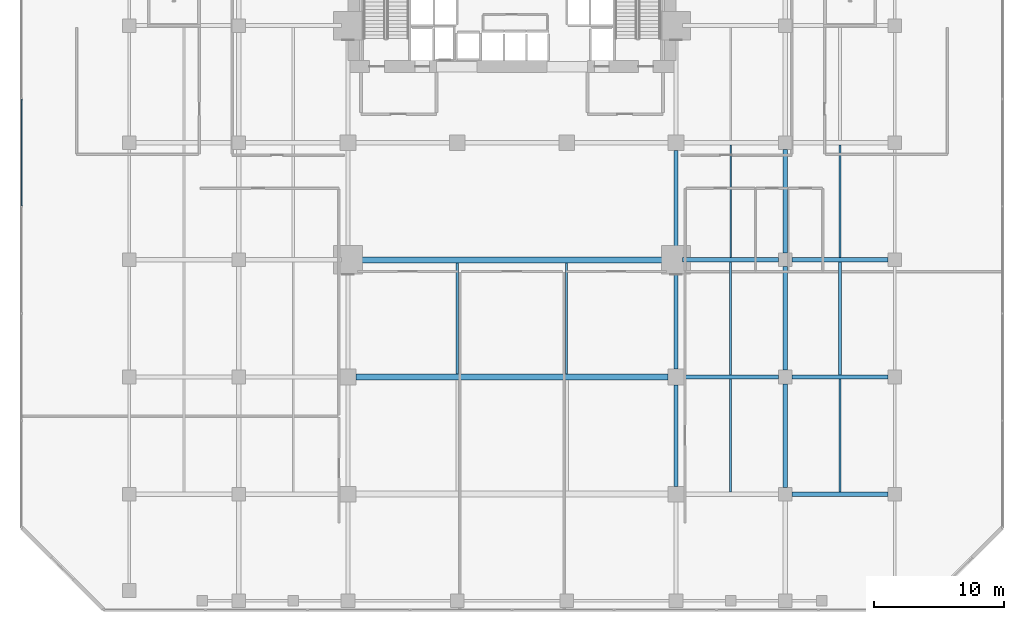
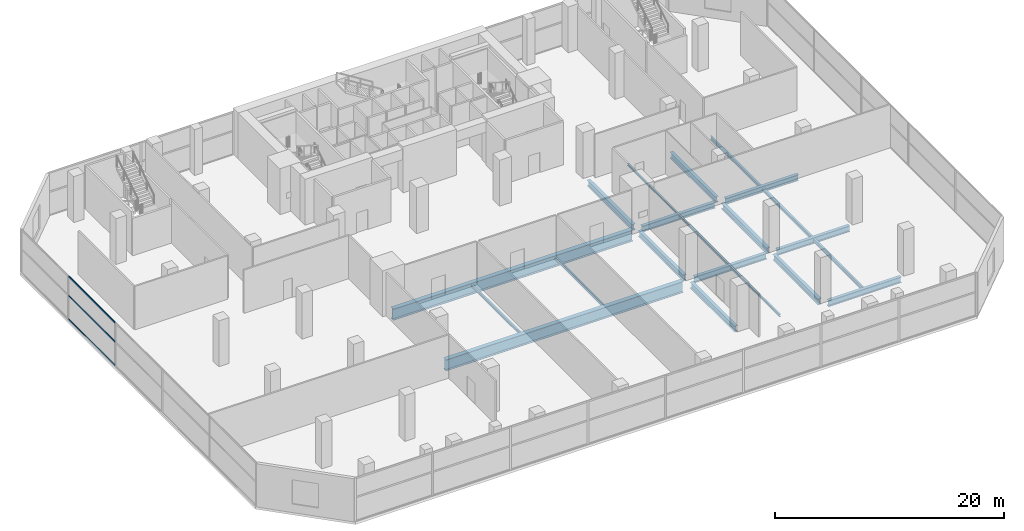
# One storey, part 16 of 39: 21 beams, 3 members, 1 element without a shape of its own.
"""IFC4 building model written with IfcOpenShell, lengths in metres."""

from ifc_helpers import new_model, si_unit, direction, frame, origin, origin_2d, place, context, subcontext, project, spatial, hollow_rectangle, i_section, extrude, material, layer, layer_set, material_profile, profile_set, type_object, element, aggregate, save


model = new_model("IFC4")

# Units and contexts
model_context = context("Model", 3, precision=1e-05, world=origin(), true_north=direction((0.0, 1.0)))
body_context = subcontext(model_context, "Body", "Model", "MODEL_VIEW")
ifc_project = project(units=[si_unit("LENGTHUNIT", "METRE"), si_unit("AREAUNIT", "SQUARE_METRE"), si_unit("VOLUMEUNIT", "CUBIC_METRE"), si_unit("PLANEANGLEUNIT", "RADIAN"), si_unit("MASSUNIT", "GRAM", prefix="KILO")], contexts=[model_context])

# Site, building, storey
site_placement = place(None, origin())
site = spatial("IfcSite", under=ifc_project, at=site_placement, CompositionType="ELEMENT")
building_placement = place(site_placement, origin())
building = spatial("IfcBuilding", under=site, at=building_placement, Name="Maruvema Waterfront Hotel and Observation Tower", CompositionType="ELEMENT")
storey_placement = place(building_placement, frame((0.0, 0.0, 16.449951171875)))
storey = spatial("IfcBuildingStorey", under=building, at=storey_placement, Name="L03", CompositionType="ELEMENT", Elevation=16.449951171875)

# Curtain wall, members
ifc_material_1 = material(Name="Anodised bronze aluminium and solar-control low-E IGU", Category="aluminium")
ifc_layer = layer(ifc_material_1, 0.159912109375, Name="Podium Waterfront Storefront Curtain Wall System CW-01")
ifc_layer_set = layer_set([ifc_layer], Name="Anodised bronze aluminium and solar-control low-E IGU")
curtain_wall_type = type_object("IfcCurtainWallType", Name="Podium Waterfront Storefront Curtain Wall System CW-01", PredefinedType="USERDEFINED", material=ifc_layer_set)
curtain_wall_placement = place(storey_placement, origin())
curtain_wall = element("IfcCurtainWall", 1, at=curtain_wall_placement, inside=storey, type_object=curtain_wall_type, Name="L03 Curtain Wall CW-L03-W", ObjectType="UNITISED CURTAIN WALL", PredefinedType="USERDEFINED")
ifc_material_2 = material(Name="Anodised architectural bronze aluminium", Category="aluminium")
ifc_material_profile_1 = material_profile(ifc_material_2, hollow_rectangle(XDim=0.070068359375, YDim=0.14990234375, WallThickness=0.00390625, at=origin_2d()), Name="ALU-T70x150")
ifc_profile_set_1 = profile_set([ifc_material_profile_1], Name="Anodised architectural bronze aluminium")
member_type = type_object("IfcMemberType", Name="Curtain Wall Horizontal Transom ALU-T70x150", PredefinedType="USERDEFINED", material=ifc_profile_set_1)
member_1_placement = place(storey_placement, frame((0.1201171875, 39.330078125, 0.030029296875), z_axis=(0.0, -1.0, 0.0), x_axis=(1.0, 0.0, 0.0)))
member_1 = element("IfcMember", 2, at=member_1_placement, type_object=member_type, Name="CW-01 transom 2.1", ObjectType="TRANSOM", PredefinedType="USERDEFINED", context=body_context, shape_type="SweptSolid", body=[
    extrude(hollow_rectangle(XDim=0.070068359375, YDim=0.14990234375, WallThickness=0.00390625, at=origin_2d()), origin(), (0.0, 0.0, 1.0), 8.18017578125),
])
member_2_placement = place(storey_placement, frame((0.1201171875, 39.330078125, 2.550048828125), z_axis=(0.0, -1.0, 0.0), x_axis=(1.0, 0.0, 0.0)))
member_2 = element("IfcMember", 3, at=member_2_placement, type_object=member_type, Name="CW-01 transom 2.2", ObjectType="TRANSOM", PredefinedType="USERDEFINED", context=body_context, shape_type="SweptSolid", body=[
    extrude(hollow_rectangle(XDim=0.070068359375, YDim=0.14990234375, WallThickness=0.00390625, at=origin_2d()), origin(), (0.0, 0.0, 1.0), 8.18017578125),
])
member_3_placement = place(storey_placement, frame((0.1201171875, 39.330078125, 4.590087890625), z_axis=(0.0, -1.0, 0.0), x_axis=(1.0, 0.0, 0.0)))
member_3 = element("IfcMember", 4, at=member_3_placement, type_object=member_type, Name="CW-01 transom 2.3", ObjectType="TRANSOM", PredefinedType="USERDEFINED", context=body_context, shape_type="SweptSolid", body=[
    extrude(hollow_rectangle(XDim=0.070068359375, YDim=0.14990234375, WallThickness=0.00390625, at=origin_2d()), origin(), (0.0, 0.0, 1.0), 8.18017578125),
])
aggregate(curtain_wall, [member_1, member_2, member_3])

# Beams
ifc_material_3 = material(Name="Steel ASTM A572 Grade 50", Category="steel")
ifc_material_profile_2 = material_profile(ifc_material_3, i_section(OverallWidth=0.3291015625, OverallDepth=0.635009765625, WebThickness=0.017822265625, FlangeThickness=0.031005859375, FilletRadius=0.01806640625, at=origin_2d()), Name="W610x241.0")
ifc_profile_set_2 = profile_set([ifc_material_profile_2], Name="Steel ASTM A572 Grade 50")
beam_type_1 = type_object("IfcBeamType", Name="Primary Floor Girder W610x241.0", PredefinedType="BEAM", material=ifc_profile_set_2)
beam_1_placement = place(storey_placement, frame((59.324951171875, 9.0, -0.597412109375), z_axis=(1.0, 0.0, 0.0), x_axis=(0.0, 1.0, 0.0)))
element("IfcBeam", 5, at=beam_1_placement, inside=storey, type_object=beam_type_1, Name="L03 Floor Girder EW-14", PredefinedType="BEAM", context=body_context, shape_type="SweptSolid", body=[
    extrude(i_section(OverallWidth=0.3291015625, OverallDepth=0.635009765625, WebThickness=0.017822265625, FlangeThickness=0.031005859375, FilletRadius=0.01806640625, at=origin_2d()), origin(), (0.0, 0.0, 1.0), 7.35009765625),
])
beam_2_placement = place(storey_placement, frame((51.0, 18.0, -0.597412109375), z_axis=(1.0, 0.0, 0.0), x_axis=(0.0, 1.0, 0.0)))
element("IfcBeam", 6, at=beam_2_placement, inside=storey, type_object=beam_type_1, Name="L03 Floor Girder EW-18", PredefinedType="BEAM", context=body_context, shape_type="SweptSolid", body=[
    extrude(i_section(OverallWidth=0.3291015625, OverallDepth=0.635009765625, WebThickness=0.017822265625, FlangeThickness=0.031005859375, FilletRadius=0.01806640625, at=origin_2d()), origin(), (0.0, 0.0, 1.0), 7.27490234375),
])
beam_3_placement = place(storey_placement, frame((59.324951171875, 18.0, -0.597412109375), z_axis=(1.0, 0.0, 0.0), x_axis=(0.0, 1.0, 0.0)))
element("IfcBeam", 7, at=beam_3_placement, inside=storey, type_object=beam_type_1, Name="L03 Floor Girder EW-19", PredefinedType="BEAM", context=body_context, shape_type="SweptSolid", body=[
    extrude(i_section(OverallWidth=0.3291015625, OverallDepth=0.635009765625, WebThickness=0.017822265625, FlangeThickness=0.031005859375, FilletRadius=0.01806640625, at=origin_2d()), origin(), (0.0, 0.0, 1.0), 7.35009765625),
])
beam_4_placement = place(storey_placement, frame((50.89990234375, 27.0, -0.597412109375), z_axis=(1.0, 0.0, 0.0), x_axis=(0.0, 1.0, 0.0)))
element("IfcBeam", 8, at=beam_4_placement, inside=storey, type_object=beam_type_1, Name="L03 Floor Girder EW-23", PredefinedType="BEAM", context=body_context, shape_type="SweptSolid", body=[
    extrude(i_section(OverallWidth=0.3291015625, OverallDepth=0.635009765625, WebThickness=0.017822265625, FlangeThickness=0.031005859375, FilletRadius=0.01806640625, at=origin_2d()), origin(), (0.0, 0.0, 1.0), 7.375),
])
beam_5_placement = place(storey_placement, frame((59.324951171875, 27.0, -0.597412109375), z_axis=(1.0, 0.0, 0.0), x_axis=(0.0, 1.0, 0.0)))
element("IfcBeam", 9, at=beam_5_placement, inside=storey, type_object=beam_type_1, Name="L03 Floor Girder EW-24", PredefinedType="BEAM", context=body_context, shape_type="SweptSolid", body=[
    extrude(i_section(OverallWidth=0.3291015625, OverallDepth=0.635009765625, WebThickness=0.017822265625, FlangeThickness=0.031005859375, FilletRadius=0.01806640625, at=origin_2d()), origin(), (0.0, 0.0, 1.0), 7.35009765625),
])
beam_6_placement = place(storey_placement, frame((50.39990234375, 9.60009765625, -0.597412109375), z_axis=(0.0, 1.0, 0.0), x_axis=(-1.0, 0.0, 0.0)))
element("IfcBeam", 10, at=beam_6_placement, inside=storey, type_object=beam_type_1, Name="L03 Floor Girder NS-19", PredefinedType="BEAM", context=body_context, shape_type="SweptSolid", body=[
    extrude(i_section(OverallWidth=0.3291015625, OverallDepth=0.635009765625, WebThickness=0.017822265625, FlangeThickness=0.031005859375, FilletRadius=0.01806640625, at=origin_2d()), origin(), (0.0, 0.0, 1.0), 7.7998046875),
])
for number, where, z_axis, x_axis, name in (
    (11, (50.39990234375, 18.60009765625, -0.597412109375), (0.0, 1.0, 0.0), (-1.0, 0.0, 0.0), "L03 Floor Girder NS-20"),
    (12, (50.39990234375, 27.5, -0.597412109375), (0.0, 1.0, 0.0), (-1.0, 0.0, 0.0), "L03 Floor Girder NS-21"),
):
    element("IfcBeam", number, at=place(storey_placement, frame(where, z_axis=z_axis, x_axis=x_axis)), inside=storey, type_object=beam_type_1, Name=name, PredefinedType="BEAM", context=body_context, shape_type="SweptSolid", body=[
        extrude(i_section(OverallWidth=0.3291015625, OverallDepth=0.635009765625, WebThickness=0.017822265625, FlangeThickness=0.031005859375, FilletRadius=0.01806640625, at=origin_2d()), origin(), (0.0, 0.0, 1.0), 7.89990234375),
    ])
for number, where, z_axis, x_axis, name in (
    (13, (58.800048828125, 9.52490234375, -0.597412109375), (0.0, 1.0, 0.0), (-1.0, 0.0, 0.0), "L03 Floor Girder NS-24"),
    (14, (58.800048828125, 18.52490234375, -0.597412109375), (0.0, 1.0, 0.0), (-1.0, 0.0, 0.0), "L03 Floor Girder NS-25"),
    (15, (58.800048828125, 27.52490234375, -0.597412109375), (0.0, 1.0, 0.0), (-1.0, 0.0, 0.0), "L03 Floor Girder NS-26"),
):
    element("IfcBeam", number, at=place(storey_placement, frame(where, z_axis=z_axis, x_axis=x_axis)), inside=storey, type_object=beam_type_1, Name=name, PredefinedType="BEAM", context=body_context, shape_type="SweptSolid", body=[
        extrude(i_section(OverallWidth=0.3291015625, OverallDepth=0.635009765625, WebThickness=0.017822265625, FlangeThickness=0.031005859375, FilletRadius=0.01806640625, at=origin_2d()), origin(), (0.0, 0.0, 1.0), 7.9501953125),
    ])
ifc_material_4 = material(Name="Steel ASTM A572 Grade 50", Category="steel")
ifc_material_profile_3 = material_profile(ifc_material_4, i_section(OverallWidth=0.133056640625, OverallDepth=0.20703125, WebThickness=0.005859375, FlangeThickness=0.00830078125, FilletRadius=0.010009765625, at=origin_2d()), Name="W200x26.6")
ifc_profile_set_3 = profile_set([ifc_material_profile_3], Name="Steel ASTM A572 Grade 50")
beam_type_2 = type_object("IfcBeamType", Name="Secondary Floor Joist W200x26.6", PredefinedType="JOIST", material=ifc_profile_set_3)
beam_7_placement = place(storey_placement, frame((54.60009765625, 27.16455078125, -0.383544921875), z_axis=(0.0, 1.0, 0.0), x_axis=(-1.0, 0.0, 0.0)))
element("IfcBeam", 16, at=beam_7_placement, inside=storey, type_object=beam_type_2, Name="L03 Secondary Floor Joist JS-15", PredefinedType="JOIST", context=body_context, shape_type="SweptSolid", body=[
    extrude(i_section(OverallWidth=0.133056640625, OverallDepth=0.20703125, WebThickness=0.005859375, FlangeThickness=0.00830078125, FilletRadius=0.010009765625, at=origin_2d()), origin(), (0.0, 0.0, 1.0), 8.6708984375),
])
ifc_material_5 = material(Name="Steel ASTM A572 Grade 50", Category="steel")
ifc_material_profile_4 = material_profile(ifc_material_5, i_section(OverallWidth=0.14599609375, OverallDepth=0.258056640625, WebThickness=0.006103515625, FlangeThickness=0.009033203125, FilletRadius=0.012939453125, at=origin_2d()), Name="W250x32.7")
ifc_profile_set_4 = profile_set([ifc_material_profile_4], Name="Steel ASTM A572 Grade 50")
beam_type_3 = type_object("IfcBeamType", Name="Secondary Floor Joist W250x32.7", PredefinedType="JOIST", material=ifc_profile_set_4)
beam_8_placement = place(storey_placement, frame((54.60009765625, 18.16455078125, -0.408935546875), z_axis=(0.0, 1.0, 0.0), x_axis=(-1.0, 0.0, 0.0)))
element("IfcBeam", 17, at=beam_8_placement, inside=storey, type_object=beam_type_3, Name="L03 Secondary Floor Joist JS-14", PredefinedType="JOIST", context=body_context, shape_type="SweptSolid", body=[
    extrude(i_section(OverallWidth=0.14599609375, OverallDepth=0.258056640625, WebThickness=0.006103515625, FlangeThickness=0.009033203125, FilletRadius=0.012939453125, at=origin_2d()), origin(), (0.0, 0.0, 1.0), 8.6708984375),
])
ifc_material_6 = material(Name="Steel ASTM A572 Grade 50", Category="steel")
ifc_material_profile_5 = material_profile(ifc_material_6, i_section(OverallWidth=0.14794921875, OverallDepth=0.26611328125, WebThickness=0.007568359375, FlangeThickness=0.012939453125, FilletRadius=0.012939453125, at=origin_2d()), Name="W250x44.8")
ifc_profile_set_5 = profile_set([ifc_material_profile_5], Name="Steel ASTM A572 Grade 50")
beam_type_4 = type_object("IfcBeamType", Name="Secondary Floor Joist W250x44.8", PredefinedType="JOIST", material=ifc_profile_set_5)
beam_9_placement = place(storey_placement, frame((54.60009765625, 9.16455078125, -0.412841796875), z_axis=(0.0, 1.0, 0.0), x_axis=(-1.0, 0.0, 0.0)))
element("IfcBeam", 18, at=beam_9_placement, inside=storey, type_object=beam_type_4, Name="L03 Secondary Floor Joist JS-13", PredefinedType="JOIST", context=body_context, shape_type="SweptSolid", body=[
    extrude(i_section(OverallWidth=0.14794921875, OverallDepth=0.26611328125, WebThickness=0.007568359375, FlangeThickness=0.012939453125, FilletRadius=0.012939453125, at=origin_2d()), origin(), (0.0, 0.0, 1.0), 8.6708984375),
])
ifc_material_7 = material(Name="Steel ASTM A572 Grade 50", Category="steel")
ifc_material_profile_6 = material_profile(ifc_material_7, i_section(OverallWidth=0.1650390625, OverallDepth=0.31005859375, WebThickness=0.005859375, FlangeThickness=0.009765625, FilletRadius=0.012939453125, at=origin_2d()), Name="W310x38.7")
ifc_profile_set_6 = profile_set([ifc_material_profile_6], Name="Steel ASTM A572 Grade 50")
beam_type_5 = type_object("IfcBeamType", Name="Secondary Floor Joist W310x38.7", PredefinedType="JOIST", material=ifc_profile_set_6)
beam_10_placement = place(storey_placement, frame((42.0, 18.22509765625, -0.43505859375), z_axis=(0.0, 1.0, 0.0), x_axis=(-1.0, 0.0, 0.0)))
element("IfcBeam", 19, at=beam_10_placement, inside=storey, type_object=beam_type_5, Name="L03 Secondary Floor Joist JS-12", PredefinedType="JOIST", context=body_context, shape_type="SweptSolid", body=[
    extrude(i_section(OverallWidth=0.1650390625, OverallDepth=0.31005859375, WebThickness=0.005859375, FlangeThickness=0.009765625, FilletRadius=0.012939453125, at=origin_2d()), origin(), (0.0, 0.0, 1.0), 8.5498046875),
])
ifc_material_8 = material(Name="Steel ASTM A572 Grade 50", Category="steel")
ifc_material_profile_7 = material_profile(ifc_material_8, i_section(OverallWidth=0.1669921875, OverallDepth=0.31689453125, WebThickness=0.007568359375, FlangeThickness=0.01318359375, FilletRadius=0.012939453125, at=origin_2d()), Name="W310x52.0")
ifc_profile_set_7 = profile_set([ifc_material_profile_7], Name="Steel ASTM A572 Grade 50")
beam_type_6 = type_object("IfcBeamType", Name="Secondary Floor Joist W310x52.0", PredefinedType="JOIST", material=ifc_profile_set_7)
beam_11_placement = place(storey_placement, frame((33.60009765625, 18.22509765625, -0.4384765625), z_axis=(0.0, 1.0, 0.0), x_axis=(-1.0, 0.0, 0.0)))
element("IfcBeam", 20, at=beam_11_placement, inside=storey, type_object=beam_type_6, Name="L03 Secondary Floor Joist JS-11", PredefinedType="JOIST", context=body_context, shape_type="SweptSolid", body=[
    extrude(i_section(OverallWidth=0.1669921875, OverallDepth=0.31689453125, WebThickness=0.007568359375, FlangeThickness=0.01318359375, FilletRadius=0.012939453125, at=origin_2d()), origin(), (0.0, 0.0, 1.0), 8.5498046875),
])
ifc_material_9 = material(Name="Steel ASTM A572 Grade 50", Category="steel")
ifc_material_profile_8 = material_profile(ifc_material_9, i_section(OverallWidth=0.1708984375, OverallDepth=0.35498046875, WebThickness=0.007080078125, FlangeThickness=0.01171875, FilletRadius=0.014892578125, at=origin_2d()), Name="W360x51.0")
ifc_profile_set_8 = profile_set([ifc_material_profile_8], Name="Steel ASTM A572 Grade 50")
beam_type_7 = type_object("IfcBeamType", Name="Secondary Floor Joist W360x51.0", PredefinedType="JOIST", material=ifc_profile_set_8)
beam_12_placement = place(storey_placement, frame((63.0, 27.16455078125, -0.45751953125), z_axis=(0.0, 1.0, 0.0), x_axis=(-1.0, 0.0, 0.0)))
element("IfcBeam", 21, at=beam_12_placement, inside=storey, type_object=beam_type_7, Name="L03 Secondary Floor Joist JS-19", PredefinedType="JOIST", context=body_context, shape_type="SweptSolid", body=[
    extrude(i_section(OverallWidth=0.1708984375, OverallDepth=0.35498046875, WebThickness=0.007080078125, FlangeThickness=0.01171875, FilletRadius=0.014892578125, at=origin_2d()), origin(), (0.0, 0.0, 1.0), 8.6708984375),
])
ifc_material_10 = material(Name="Steel ASTM A572 Grade 50", Category="steel")
ifc_material_profile_9 = material_profile(ifc_material_10, i_section(OverallWidth=0.202880859375, OverallDepth=0.346923828125, WebThickness=0.0078125, FlangeThickness=0.013427734375, FilletRadius=0.014892578125, at=origin_2d()), Name="W360x64.0")
ifc_profile_set_9 = profile_set([ifc_material_profile_9], Name="Steel ASTM A572 Grade 50")
beam_type_8 = type_object("IfcBeamType", Name="Secondary Floor Joist W360x64.0", PredefinedType="JOIST", material=ifc_profile_set_9)
beam_13_placement = place(storey_placement, frame((63.0, 18.16455078125, -0.453369140625), z_axis=(0.0, 1.0, 0.0), x_axis=(-1.0, 0.0, 0.0)))
element("IfcBeam", 22, at=beam_13_placement, inside=storey, type_object=beam_type_8, Name="L03 Secondary Floor Joist JS-18", PredefinedType="JOIST", context=body_context, shape_type="SweptSolid", body=[
    extrude(i_section(OverallWidth=0.202880859375, OverallDepth=0.346923828125, WebThickness=0.0078125, FlangeThickness=0.013427734375, FilletRadius=0.014892578125, at=origin_2d()), origin(), (0.0, 0.0, 1.0), 8.6708984375),
])
ifc_material_11 = material(Name="Steel ASTM A572 Grade 50", Category="steel")
ifc_material_profile_10 = material_profile(ifc_material_11, i_section(OverallWidth=0.177001953125, OverallDepth=0.403076171875, WebThickness=0.007568359375, FlangeThickness=0.010986328125, FilletRadius=0.014892578125, at=origin_2d()), Name="W410x53.0")
ifc_profile_set_10 = profile_set([ifc_material_profile_10], Name="Steel ASTM A572 Grade 50")
beam_type_9 = type_object("IfcBeamType", Name="Secondary Floor Joist W410x53.0", PredefinedType="JOIST", material=ifc_profile_set_10)
beam_14_placement = place(storey_placement, frame((63.0, 9.16455078125, -0.4814453125), z_axis=(0.0, 1.0, 0.0), x_axis=(-1.0, 0.0, 0.0)))
element("IfcBeam", 23, at=beam_14_placement, inside=storey, type_object=beam_type_9, Name="L03 Secondary Floor Joist JS-17", PredefinedType="JOIST", context=body_context, shape_type="SweptSolid", body=[
    extrude(i_section(OverallWidth=0.177001953125, OverallDepth=0.403076171875, WebThickness=0.007568359375, FlangeThickness=0.010986328125, FilletRadius=0.014892578125, at=origin_2d()), origin(), (0.0, 0.0, 1.0), 8.6708984375),
])
ifc_material_12 = material(Name="Steel ABNT NBR 7007 AR 415 (ASTM A572 Grade 50)", Category="steel")
ifc_material_profile_11 = material_profile(ifc_material_12, i_section(OverallWidth=0.449951171875, OverallDepth=1.199951171875, WebThickness=0.01904296875, FlangeThickness=0.031982421875, at=origin_2d()), Name="VS1200x366")
ifc_profile_set_11 = profile_set([ifc_material_profile_11], Name="Steel ABNT NBR 7007 AR 415 (ASTM A572 Grade 50)")
beam_type_10 = type_object("IfcBeamType", Name="Upper Setback Transfer Girder VS1200x366", PredefinedType="USERDEFINED", material=ifc_profile_set_11)
beam_15_placement = place(storey_placement, frame((25.800048828125, 18.0, -0.8798828125), z_axis=(1.0, 0.0, 0.0), x_axis=(0.0, 1.0, 0.0)))
element("IfcBeam", 24, at=beam_15_placement, inside=storey, type_object=beam_type_10, Name="L03 Floor Girder EW-17", ObjectType="TRANSFER GIRDER", PredefinedType="USERDEFINED", context=body_context, shape_type="SweptSolid", body=[
    extrude(i_section(OverallWidth=0.449951171875, OverallDepth=1.199951171875, WebThickness=0.01904296875, FlangeThickness=0.031982421875, at=origin_2d()), origin(), (0.0, 0.0, 1.0), 24.0),
])
beam_16_placement = place(storey_placement, frame((25.699951171875, 27.0, -0.8798828125), z_axis=(1.0, 0.0, 0.0), x_axis=(0.0, 1.0, 0.0)))
element("IfcBeam", 25, at=beam_16_placement, inside=storey, type_object=beam_type_10, Name="L03 Floor Girder EW-22", ObjectType="TRANSFER GIRDER", PredefinedType="USERDEFINED", context=body_context, shape_type="SweptSolid", body=[
    extrude(i_section(OverallWidth=0.449951171875, OverallDepth=1.199951171875, WebThickness=0.01904296875, FlangeThickness=0.031982421875, at=origin_2d()), origin(), (0.0, 0.0, 1.0), 24.199951171875),
])

save(model, "model.ifc")
